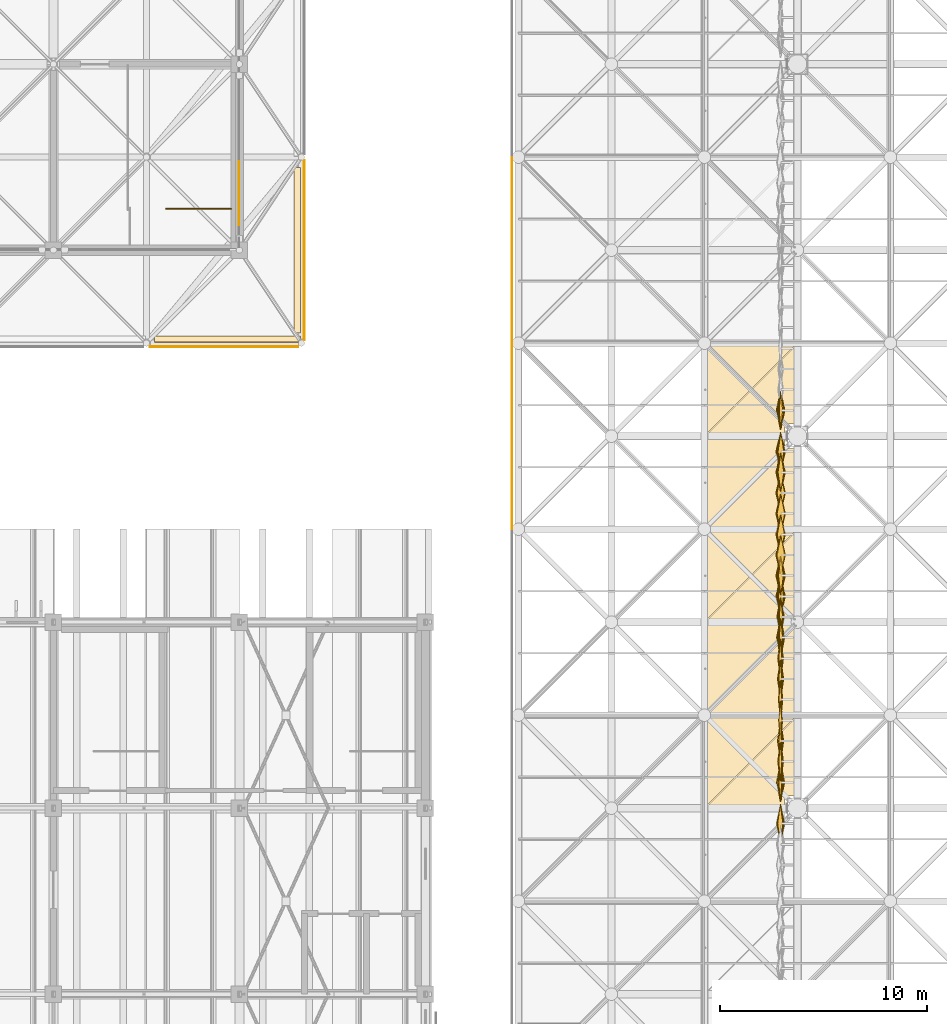
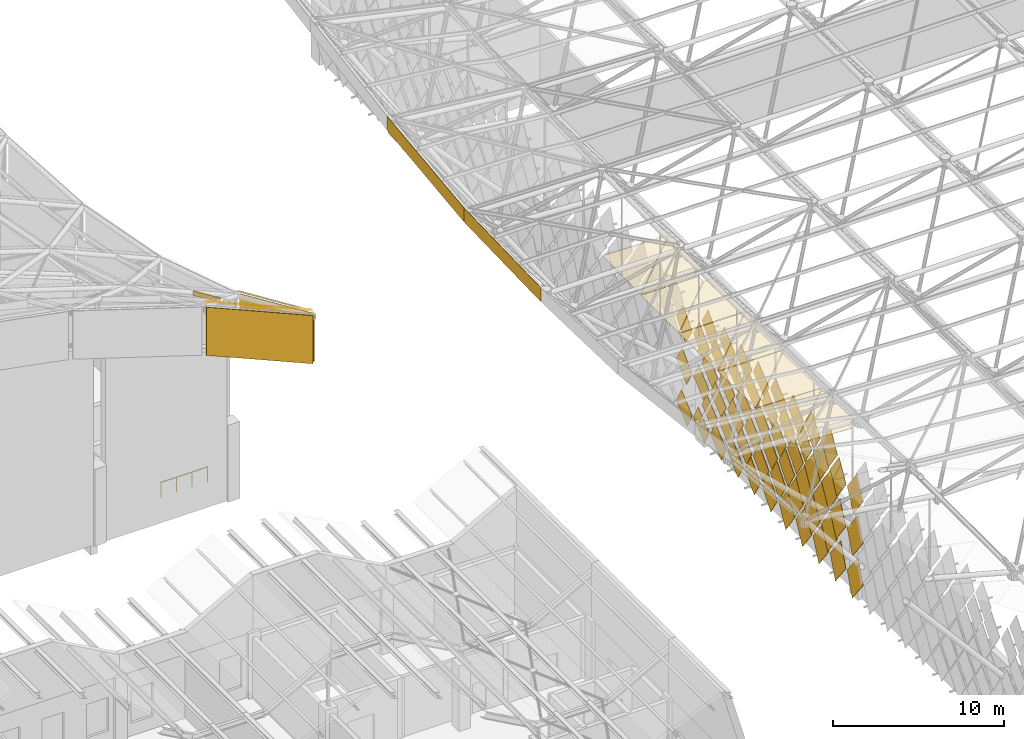
# One storey, part 411 of 437: 74 coverings, 1 railing.
"""IFC4 building model written with IfcOpenShell, lengths in metres."""

from ifc_helpers import new_model, si_unit, direction, frame, origin, origin_2d, place, context, subcontext, project, spatial, polyline, circle, outline, extrude, material, layer, layer_set, constituent, constituent_set, material_profile, profile_set, type_object, element, save


model = new_model("IFC4")

# Units and contexts
model_context = context("Model", 3, precision=1e-05, world=origin(), true_north=direction((0.0, 1.0)))
body_context = subcontext(model_context, "Body", "Model", "MODEL_VIEW")
ifc_project = project(units=[si_unit("LENGTHUNIT", "METRE"), si_unit("AREAUNIT", "SQUARE_METRE"), si_unit("VOLUMEUNIT", "CUBIC_METRE"), si_unit("PLANEANGLEUNIT", "RADIAN"), si_unit("MASSUNIT", "GRAM", prefix="KILO")], contexts=[model_context])

# Site, building, storey
site_placement = place(None, origin())
site = spatial("IfcSite", under=ifc_project, at=site_placement, CompositionType="ELEMENT")
building_placement = place(site_placement, origin())
building = spatial("IfcBuilding", under=site, at=building_placement, Name="Opaline Strait Convention Centre", CompositionType="ELEMENT")
storey_placement = place(building_placement, frame((0.0, 0.0, 11.5)))
storey = spatial("IfcBuildingStorey", under=building, at=storey_placement, Name="L02", CompositionType="ELEMENT", Elevation=11.5)

# Coverings
ifc_material_1 = material(Name="White ceramic-faced aluminium tile", Category="aluminium")
ifc_material_profile_1 = material_profile(ifc_material_1, outline(polyline([(0.927978515625, 0.0), (0.0, 1.39208984375), (-0.927978515625, 0.0), (0.0, -1.39208984375), (0.927978515625, 0.0)])), Name="Diamond tile 1856x2784")
ifc_profile_set_1 = profile_set([ifc_material_profile_1], Name="White ceramic-faced aluminium tile")
covering_type_1 = type_object("IfcCoveringType", Name="Diamond wall tile 1856x2784x30 pivot 3 deg", PredefinedType="CLADDING", material=ifc_profile_set_1)
for number, where, z_axis, x_axis, name in (
    (1, (98.199951171875, 99.25, 1.89208984375), (-0.998384516691, 0.0, -0.056818631031), (0.0, -1.0, 0.0), "Wall tile XT06 W"),
    (2, (98.199951171875, 97.25, 1.89208984375), (-0.998812351125, 0.0, 0.048722553713), (0.0, -1.0, 0.0), "Wall tile XT06 W"),
    (3, (98.199951171875, 98.25, 3.39208984375), (-0.998384516691, 0.0, -0.056818631031), (0.0, -1.0, 0.0), "Wall tile XT06 W"),
    (4, (98.199951171875, 96.25, 3.39208984375), (-0.998812351125, 0.0, 0.048722553713), (0.0, -1.0, 0.0), "Wall tile XT06 W"),
    (5, (98.199951171875, 97.25, 4.89208984375), (-0.998384516691, 0.0, -0.056818631031), (0.0, -1.0, 0.0), "Wall tile XT06 W"),
    (6, (98.199951171875, 95.25, 4.89208984375), (-0.998812351125, 0.0, 0.048722553713), (0.0, -1.0, 0.0), "Wall tile XT06 W"),
    (7, (98.199951171875, 96.25, 6.39208984375), (-0.998384516691, 0.0, -0.056818631031), (0.0, -1.0, 0.0), "Wall tile XT06 W"),
    (8, (98.199951171875, 94.25, 6.39208984375), (-0.998812351125, 0.0, 0.048722553713), (0.0, -1.0, 0.0), "Wall tile XT06 W"),
    (9, (98.199951171875, 92.25, 6.39208984375), (-0.998812351125, 0.0, 0.048722553713), (0.0, -1.0, 0.0), "Wall tile XT06 W"),
    (10, (98.199951171875, 109.25, 7.89208984375), (-0.998384516691, 0.0, -0.056818631031), (0.0, -1.0, 0.0), "Wall tile XT06 W"),
    (11, (98.199951171875, 95.25, 7.89208984375), (-0.998384516691, 0.0, -0.056818631031), (0.0, -1.0, 0.0), "Wall tile XT06 W"),
    (12, (98.199951171875, 93.25, 7.89208984375), (-0.998812351125, 0.0, 0.048722553713), (0.0, -1.0, 0.0), "Wall tile XT06 W"),
    (13, (98.199951171875, 91.25, 7.89208984375), (-0.998812351125, 0.0, 0.048722553713), (0.0, -1.0, 0.0), "Wall tile XT06 W"),
    (14, (98.199951171875, 94.25, 9.39208984375), (-0.998384516691, 0.0, -0.056818631031), (0.0, -1.0, 0.0), "Wall tile XT06 W"),
    (15, (98.199951171875, 92.25, 9.39208984375), (-0.998812351125, 0.0, 0.048722553713), (0.0, -1.0, 0.0), "Wall tile XT06 W"),
):
    element("IfcCovering", number, at=place(storey_placement, frame(where, z_axis=z_axis, x_axis=x_axis)), inside=storey, type_object=covering_type_1, Name=name, PredefinedType="CLADDING", context=body_context, shape_type="SweptSolid", body=[
        extrude(outline(polyline([(0.927978515625, 0.0), (0.0, 1.39208984375), (-0.927978515625, 0.0), (0.0, -1.39208984375), (0.927978515625, 0.0)])), origin(), (0.0, 0.0, 1.0), 0.030029296875),
    ])
ifc_material_profile_2 = material_profile(ifc_material_1, outline(polyline([(0.927978515625, 0.0), (0.0, 1.39208984375), (-0.927978515625, 0.0), (0.0, -1.39208984375), (0.927978515625, 0.0)])), Name="Diamond tile 1856x2784")
ifc_profile_set_2 = profile_set([ifc_material_profile_2], Name="White ceramic-faced aluminium tile")
covering_type_2 = type_object("IfcCoveringType", Name="Diamond wall tile 1856x2784x30 pivot 3.5 deg", PredefinedType="CLADDING", material=ifc_profile_set_2)
for number, where, z_axis, x_axis, name in (
    (16, (98.199951171875, 94.25, 3.39208984375), (-0.99835799028, 0.0, 0.057282835508), (0.0, -1.0, 0.0), "Wall tile XT07 W"),
    (17, (98.199951171875, 93.25, 4.89208984375), (-0.99835799028, 0.0, 0.057282835508), (0.0, -1.0, 0.0), "Wall tile XT07 W"),
):
    element("IfcCovering", number, at=place(storey_placement, frame(where, z_axis=z_axis, x_axis=x_axis)), inside=storey, type_object=covering_type_2, Name=name, PredefinedType="CLADDING", context=body_context, shape_type="SweptSolid", body=[
        extrude(outline(polyline([(0.927978515625, 0.0), (0.0, 1.39208984375), (-0.927978515625, 0.0), (0.0, -1.39208984375), (0.927978515625, 0.0)])), origin(), (0.0, 0.0, 1.0), 0.02978515625),
    ])
ifc_material_profile_3 = material_profile(ifc_material_1, outline(polyline([(0.927978515625, 0.0), (0.0, 1.39208984375), (-0.927978515625, 0.0), (0.0, -1.39208984375), (0.927978515625, 0.0)])), Name="Diamond tile 1856x2784")
ifc_profile_set_3 = profile_set([ifc_material_profile_3], Name="White ceramic-faced aluminium tile")
covering_type_3 = type_object("IfcCoveringType", Name="Diamond wall tile 1856x2784x30 pivot 4 deg", PredefinedType="CLADDING", material=ifc_profile_set_3)
covering_1_placement = place(storey_placement, frame((98.199951171875, 95.25, 1.89208984375), z_axis=(-0.99785694905, 0.0, 0.065433242561), x_axis=(0.0, -1.0, 0.0)))
element("IfcCovering", 18, at=covering_1_placement, inside=storey, type_object=covering_type_3, Name="Wall tile XT08 W", PredefinedType="CLADDING", context=body_context, shape_type="SweptSolid", body=[
    extrude(outline(polyline([(0.927978515625, 0.0), (0.0, 1.39208984375), (-0.927978515625, 0.0), (0.0, -1.39208984375), (0.927978515625, 0.0)])), origin(), (0.0, 0.0, 1.0), 0.02978515625),
])
ifc_material_profile_4 = material_profile(ifc_material_1, outline(polyline([(0.927978515625, 0.0), (0.0, 1.39208984375), (-0.927978515625, 0.0), (0.0, -1.39208984375), (0.927978515625, 0.0)])), Name="Diamond tile 1856x2784")
ifc_profile_set_4 = profile_set([ifc_material_profile_4], Name="White ceramic-faced aluminium tile")
covering_type_4 = type_object("IfcCoveringType", Name="Diamond wall tile 1856x2784x30 pivot 4.5 deg", PredefinedType="CLADDING", material=ifc_profile_set_4)
covering_2_placement = place(storey_placement, frame((98.199951171875, 101.25, 1.89208984375), z_axis=(-0.996657521232, 0.0, -0.081693239445), x_axis=(0.0, -1.0, 0.0)))
element("IfcCovering", 19, at=covering_2_placement, inside=storey, type_object=covering_type_4, Name="Wall tile XT09 W", PredefinedType="CLADDING", context=body_context, shape_type="SweptSolid", body=[
    extrude(outline(polyline([(0.927978515625, 0.0), (0.0, 1.39208984375), (-0.927978515625, 0.0), (0.0, -1.39208984375), (0.927978515625, 0.0)])), origin(), (0.0, 0.0, 1.0), 0.02978515625),
])
ifc_material_profile_5 = material_profile(ifc_material_1, outline(polyline([(0.927978515625, 0.0), (0.0, 1.39208984375), (-0.927978515625, 0.0), (0.0, -1.39208984375), (0.927978515625, 0.0)])), Name="Diamond tile 1856x2784")
ifc_profile_set_5 = profile_set([ifc_material_profile_5], Name="White ceramic-faced aluminium tile")
covering_type_5 = type_object("IfcCoveringType", Name="Diamond wall tile 1856x2784x30 pivot 5 deg", PredefinedType="CLADDING", material=ifc_profile_set_5)
for number, where, z_axis, x_axis, name in (
    (20, (98.199951171875, 100.25, 3.39208984375), (-0.995959849254, 0.0, -0.089799658539), (0.0, -1.0, 0.0), "Wall tile XT10 W"),
    (21, (98.199951171875, 99.25, 4.89208984375), (-0.995959849254, 0.0, -0.089799658539), (0.0, -1.0, 0.0), "Wall tile XT10 W"),
    (22, (98.199951171875, 98.25, 6.39208984375), (-0.995959849254, 0.0, -0.089799658539), (0.0, -1.0, 0.0), "Wall tile XT10 W"),
    (23, (98.199951171875, 97.25, 7.89208984375), (-0.995959849254, 0.0, -0.089799658539), (0.0, -1.0, 0.0), "Wall tile XT10 W"),
):
    element("IfcCovering", number, at=place(storey_placement, frame(where, z_axis=z_axis, x_axis=x_axis)), inside=storey, type_object=covering_type_5, Name=name, PredefinedType="CLADDING", context=body_context, shape_type="SweptSolid", body=[
        extrude(outline(polyline([(0.927978515625, 0.0), (0.0, 1.39208984375), (-0.927978515625, 0.0), (0.0, -1.39208984375), (0.927978515625, 0.0)])), origin(), (0.0, 0.0, 1.0), 0.02978515625),
    ])
ifc_material_profile_6 = material_profile(ifc_material_1, outline(polyline([(0.927978515625, 0.0), (0.0, 1.39208984375), (-0.927978515625, 0.0), (0.0, -1.39208984375), (0.927978515625, 0.0)])), Name="Diamond tile 1856x2784")
ifc_profile_set_6 = profile_set([ifc_material_profile_6], Name="White ceramic-faced aluminium tile")
covering_type_6 = type_object("IfcCoveringType", Name="Diamond wall tile 1856x2784x30 pivot 5.5 deg", PredefinedType="CLADDING", material=ifc_profile_set_6)
for number, where, z_axis, x_axis, name in (
    (24, (98.199951171875, 92.25, 3.39208984375), (-0.995959849254, 0.0, 0.089799658539), (0.0, -1.0, 0.0), "Wall tile XT11 W"),
    (25, (98.199951171875, 91.25, 4.89208984375), (-0.995959849254, 0.0, 0.089799658539), (0.0, -1.0, 0.0), "Wall tile XT11 W"),
):
    element("IfcCovering", number, at=place(storey_placement, frame(where, z_axis=z_axis, x_axis=x_axis)), inside=storey, type_object=covering_type_6, Name=name, PredefinedType="CLADDING", context=body_context, shape_type="SweptSolid", body=[
        extrude(outline(polyline([(0.927978515625, 0.0), (0.0, 1.39208984375), (-0.927978515625, 0.0), (0.0, -1.39208984375), (0.927978515625, 0.0)])), origin(), (0.0, 0.0, 1.0), 0.02978515625),
    ])
covering_3_placement = place(storey_placement, frame((98.199951171875, 107.25, 7.89208984375), z_axis=(-0.995197410875, 0.0, -0.097888269922), x_axis=(0.0, -1.0, 0.0)))
element("IfcCovering", 26, at=covering_3_placement, inside=storey, type_object=covering_type_6, Name="Wall tile XT11 W", PredefinedType="CLADDING", context=body_context, shape_type="SweptSolid", body=[
    extrude(outline(polyline([(0.927978515625, 0.0), (0.0, 1.39208984375), (-0.927978515625, 0.0), (0.0, -1.39208984375), (0.927978515625, 0.0)])), origin(), (0.0, 0.0, 1.0), 0.030029296875),
])
covering_4_placement = place(storey_placement, frame((98.199951171875, 89.25, 7.89208984375), z_axis=(-0.995959849254, 0.0, 0.089799658539), x_axis=(0.0, -1.0, 0.0)))
element("IfcCovering", 27, at=covering_4_placement, inside=storey, type_object=covering_type_6, Name="Wall tile XT11 W", PredefinedType="CLADDING", context=body_context, shape_type="SweptSolid", body=[
    extrude(outline(polyline([(0.927978515625, 0.0), (0.0, 1.39208984375), (-0.927978515625, 0.0), (0.0, -1.39208984375), (0.927978515625, 0.0)])), origin(), (0.0, 0.0, 1.0), 0.02978515625),
])
for number, where, z_axis, x_axis, name in (
    (28, (98.199951171875, 106.25, 9.39208984375), (-0.995197410875, 0.0, -0.097888269922), (0.0, -1.0, 0.0), "Wall tile XT11 W"),
    (29, (98.199951171875, 96.25, 9.39208984375), (-0.995197410875, 0.0, -0.097888269922), (0.0, -1.0, 0.0), "Wall tile XT11 W"),
):
    element("IfcCovering", number, at=place(storey_placement, frame(where, z_axis=z_axis, x_axis=x_axis)), inside=storey, type_object=covering_type_6, Name=name, PredefinedType="CLADDING", context=body_context, shape_type="SweptSolid", body=[
        extrude(outline(polyline([(0.927978515625, 0.0), (0.0, 1.39208984375), (-0.927978515625, 0.0), (0.0, -1.39208984375), (0.927978515625, 0.0)])), origin(), (0.0, 0.0, 1.0), 0.030029296875),
    ])
ifc_material_profile_7 = material_profile(ifc_material_1, outline(polyline([(0.927978515625, 0.0), (0.0, 1.39208984375), (-0.927978515625, 0.0), (0.0, -1.39208984375), (0.927978515625, 0.0)])), Name="Diamond tile 1856x2784")
ifc_profile_set_7 = profile_set([ifc_material_profile_7], Name="White ceramic-faced aluminium tile")
covering_type_7 = type_object("IfcCoveringType", Name="Diamond wall tile 1856x2784x30 pivot 6 deg", PredefinedType="CLADDING", material=ifc_profile_set_7)
for number, where, z_axis, x_axis, name in (
    (30, (98.199951171875, 93.25, 1.89208984375), (-0.995197410875, 0.0, 0.097888269922), (0.0, -1.0, 0.0), "Wall tile XT12 W"),
    (31, (98.199951171875, 109.25, 4.89208984375), (-0.994370656274, 0.0, -0.105957528947), (0.0, -1.0, 0.0), "Wall tile XT12 W"),
):
    element("IfcCovering", number, at=place(storey_placement, frame(where, z_axis=z_axis, x_axis=x_axis)), inside=storey, type_object=covering_type_7, Name=name, PredefinedType="CLADDING", context=body_context, shape_type="SweptSolid", body=[
        extrude(outline(polyline([(0.927978515625, 0.0), (0.0, 1.39208984375), (-0.927978515625, 0.0), (0.0, -1.39208984375), (0.927978515625, 0.0)])), origin(), (0.0, 0.0, 1.0), 0.030029296875),
    ])
ifc_material_profile_8 = material_profile(ifc_material_1, outline(polyline([(0.927978515625, 0.0), (0.0, 1.39208984375), (-0.927978515625, 0.0), (0.0, -1.39208984375), (0.927978515625, 0.0)])), Name="Diamond tile 1856x2784")
ifc_profile_set_8 = profile_set([ifc_material_profile_8], Name="White ceramic-faced aluminium tile")
covering_type_8 = type_object("IfcCoveringType", Name="Diamond wall tile 1856x2784x30 pivot 7 deg", PredefinedType="CLADDING", material=ifc_profile_set_8)
for number, where, z_axis, x_axis, name in (
    (32, (98.199951171875, 103.25, 1.89208984375), (-0.992526177815, 0.0, -0.122031907108), (0.0, -1.0, 0.0), "Wall tile XT14 W"),
    (33, (98.199951171875, 102.25, 3.39208984375), (-0.992526177815, 0.0, -0.122031907108), (0.0, -1.0, 0.0), "Wall tile XT14 W"),
    (34, (98.199951171875, 101.25, 4.89208984375), (-0.992526177815, 0.0, -0.122031907108), (0.0, -1.0, 0.0), "Wall tile XT14 W"),
    (35, (98.199951171875, 89.25, 4.89208984375), (-0.992526177815, 0.0, 0.122031907108), (0.0, -1.0, 0.0), "Wall tile XT14 W"),
    (36, (98.199951171875, 100.25, 6.39208984375), (-0.992526177815, 0.0, -0.122031907108), (0.0, -1.0, 0.0), "Wall tile XT14 W"),
    (37, (98.199951171875, 99.25, 7.89208984375), (-0.992526177815, 0.0, -0.122031907108), (0.0, -1.0, 0.0), "Wall tile XT14 W"),
):
    element("IfcCovering", number, at=place(storey_placement, frame(where, z_axis=z_axis, x_axis=x_axis)), inside=storey, type_object=covering_type_8, Name=name, PredefinedType="CLADDING", context=body_context, shape_type="SweptSolid", body=[
        extrude(outline(polyline([(0.927978515625, 0.0), (0.0, 1.39208984375), (-0.927978515625, 0.0), (0.0, -1.39208984375), (0.927978515625, 0.0)])), origin(), (0.0, 0.0, 1.0), 0.030029296875),
    ])
ifc_material_profile_9 = material_profile(ifc_material_1, outline(polyline([(0.927978515625, 0.0), (0.0, 1.39208984375), (-0.927978515625, 0.0), (0.0, -1.39208984375), (0.927978515625, 0.0)])), Name="Diamond tile 1856x2784")
ifc_profile_set_9 = profile_set([ifc_material_profile_9], Name="White ceramic-faced aluminium tile")
covering_type_9 = type_object("IfcCoveringType", Name="Diamond wall tile 1856x2784x30 pivot 7.5 deg", PredefinedType="CLADDING", material=ifc_profile_set_9)
for number, where, z_axis, x_axis, name in (
    (38, (98.199951171875, 91.25, 1.89208984375), (-0.991509530601, 0.0, 0.1300340368), (0.0, -1.0, 0.0), "Wall tile XT15 W"),
    (39, (98.199951171875, 107.25, 4.89208984375), (-0.991509530601, 0.0, -0.1300340368), (0.0, -1.0, 0.0), "Wall tile XT15 W"),
    (40, (98.199951171875, 106.25, 6.39208984375), (-0.991509530601, 0.0, -0.1300340368), (0.0, -1.0, 0.0), "Wall tile XT15 W"),
    (41, (98.199951171875, 105.25, 7.89208984375), (-0.991509530601, 0.0, -0.1300340368), (0.0, -1.0, 0.0), "Wall tile XT15 W"),
    (42, (98.199951171875, 104.25, 9.39208984375), (-0.991509530601, 0.0, -0.1300340368), (0.0, -1.0, 0.0), "Wall tile XT15 W"),
    (43, (98.199951171875, 98.25, 9.39208984375), (-0.991509530601, 0.0, -0.1300340368), (0.0, -1.0, 0.0), "Wall tile XT15 W"),
):
    element("IfcCovering", number, at=place(storey_placement, frame(where, z_axis=z_axis, x_axis=x_axis)), inside=storey, type_object=covering_type_9, Name=name, PredefinedType="CLADDING", context=body_context, shape_type="SweptSolid", body=[
        extrude(outline(polyline([(0.927978515625, 0.0), (0.0, 1.39208984375), (-0.927978515625, 0.0), (0.0, -1.39208984375), (0.927978515625, 0.0)])), origin(), (0.0, 0.0, 1.0), 0.030029296875),
    ])
ifc_material_profile_10 = material_profile(ifc_material_1, outline(polyline([(0.927978515625, 0.0), (0.0, 1.39208984375), (-0.927978515625, 0.0), (0.0, -1.39208984375), (0.927978515625, 0.0)])), Name="Diamond tile 1856x2784")
ifc_profile_set_10 = profile_set([ifc_material_profile_10], Name="White ceramic-faced aluminium tile")
covering_type_10 = type_object("IfcCoveringType", Name="Diamond wall tile 1856x2784x30 pivot 8 deg", PredefinedType="CLADDING", material=ifc_profile_set_10)
for number, where, z_axis, x_axis, name in (
    (44, (98.199951171875, 109.25, 1.89208984375), (-0.990274204789, 0.0, -0.139129433731), (0.0, -1.0, 0.0), "Wall tile XT16 W"),
    (45, (98.199951171875, 105.25, 1.89208984375), (-0.990274204789, 0.0, -0.139129433731), (0.0, -1.0, 0.0), "Wall tile XT16 W"),
    (46, (98.199951171875, 89.25, 1.89208984375), (-0.990274204789, 0.0, 0.139129433731), (0.0, -1.0, 0.0), "Wall tile XT16 W"),
    (47, (98.199951171875, 104.25, 3.39208984375), (-0.990274204789, 0.0, -0.139129433731), (0.0, -1.0, 0.0), "Wall tile XT16 W"),
    (48, (98.199951171875, 103.25, 4.89208984375), (-0.990274204789, 0.0, -0.139129433731), (0.0, -1.0, 0.0), "Wall tile XT16 W"),
):
    element("IfcCovering", number, at=place(storey_placement, frame(where, z_axis=z_axis, x_axis=x_axis)), inside=storey, type_object=covering_type_10, Name=name, PredefinedType="CLADDING", context=body_context, shape_type="SweptSolid", body=[
        extrude(outline(polyline([(0.927978515625, 0.0), (0.0, 1.39208984375), (-0.927978515625, 0.0), (0.0, -1.39208984375), (0.927978515625, 0.0)])), origin(), (0.0, 0.0, 1.0), 0.02978515625),
    ])
ifc_material_profile_11 = material_profile(ifc_material_1, outline(polyline([(0.927978515625, 0.0), (0.0, 1.39208984375), (-0.927978515625, 0.0), (0.0, -1.39208984375), (0.927978515625, 0.0)])), Name="Diamond tile 1856x2784")
ifc_profile_set_11 = profile_set([ifc_material_profile_11], Name="White ceramic-faced aluminium tile")
covering_type_11 = type_object("IfcCoveringType", Name="Diamond wall tile 1856x2784x30 pivot 8.5 deg", PredefinedType="CLADDING", material=ifc_profile_set_11)
for number, where, z_axis, x_axis, name in (
    (49, (98.199951171875, 107.25, 1.89208984375), (-0.987895005451, 0.0, -0.15512400912), (0.0, -1.0, 0.0), "Wall tile XT17 W"),
    (50, (98.199951171875, 106.25, 3.39208984375), (-0.987895005451, 0.0, -0.15512400912), (0.0, -1.0, 0.0), "Wall tile XT17 W"),
    (51, (98.199951171875, 105.25, 4.89208984375), (-0.987895005451, 0.0, -0.15512400912), (0.0, -1.0, 0.0), "Wall tile XT17 W"),
    (52, (98.199951171875, 104.25, 6.39208984375), (-0.987895005451, 0.0, -0.15512400912), (0.0, -1.0, 0.0), "Wall tile XT17 W"),
    (53, (98.199951171875, 102.25, 6.39208984375), (-0.987895005451, 0.0, -0.15512400912), (0.0, -1.0, 0.0), "Wall tile XT17 W"),
    (54, (98.199951171875, 103.25, 7.89208984375), (-0.987895005451, 0.0, -0.15512400912), (0.0, -1.0, 0.0), "Wall tile XT17 W"),
    (55, (98.199951171875, 101.25, 7.89208984375), (-0.987895005451, 0.0, -0.15512400912), (0.0, -1.0, 0.0), "Wall tile XT17 W"),
    (56, (98.199951171875, 102.25, 9.39208984375), (-0.987895005451, 0.0, -0.15512400912), (0.0, -1.0, 0.0), "Wall tile XT17 W"),
    (57, (98.199951171875, 100.25, 9.39208984375), (-0.987895005451, 0.0, -0.15512400912), (0.0, -1.0, 0.0), "Wall tile XT17 W"),
):
    element("IfcCovering", number, at=place(storey_placement, frame(where, z_axis=z_axis, x_axis=x_axis)), inside=storey, type_object=covering_type_11, Name=name, PredefinedType="CLADDING", context=body_context, shape_type="SweptSolid", body=[
        extrude(outline(polyline([(0.927978515625, 0.0), (0.0, 1.39208984375), (-0.927978515625, 0.0), (0.0, -1.39208984375), (0.927978515625, 0.0)])), origin(), (0.0, 0.0, 1.0), 0.02978515625),
    ])
ifc_material_2 = material(Name="White aluminium fascia plate", Category="aluminium")
ifc_layer_1 = layer(ifc_material_2, 0.02001953125)
ifc_layer_set_1 = layer_set([ifc_layer_1], Name="White aluminium fascia plate")
covering_type_12 = type_object("IfcCoveringType", Name="Edge fascia plate 20 aluminium", PredefinedType="CLADDING", material=ifc_layer_set_1)
covering_5_placement = place(storey_placement, frame((85.199951171875, 117.0, 18.79638671875), z_axis=(-1.0, 0.0, 0.0), x_axis=(0.0, -1.0, 0.0)))
element("IfcCovering", 58, at=covering_5_placement, inside=storey, type_object=covering_type_12, Name="Edge fascia plate W", PredefinedType="CLADDING", context=body_context, shape_type="SweptSolid", body=[
    extrude(outline(polyline([(-4.5, 1.043701171875), (4.5, -0.043701171875), (4.5, -1.043701171875), (-4.5, 0.043701171875), (-4.5, 1.043701171875)])), origin(), (0.0, 0.0, 1.0), 0.02001953125),
])
covering_6_placement = place(storey_placement, frame((85.199951171875, 108.0, 18.12646484375), z_axis=(-1.0, 0.0, 0.0), x_axis=(0.0, -1.0, 0.0)))
element("IfcCovering", 59, at=covering_6_placement, inside=storey, type_object=covering_type_12, Name="Edge fascia plate W", PredefinedType="CLADDING", context=body_context, shape_type="SweptSolid", body=[
    extrude(outline(polyline([(-4.5, 0.62646484375), (4.5, 0.373779296875), (4.5, -0.626220703125), (-4.5, -0.37353515625), (-4.5, 0.62646484375)])), origin(), (0.0, 0.0, 1.0), 0.02001953125),
])

# Railing
ifc_material_3 = material(Name="Steel Q355B", Category="steel")
ifc_constituent_1 = constituent(ifc_material_3, Name="Frame")
ifc_material_4 = material(Name="Safety glass, bonded interlayer", Category="glass")
ifc_constituent_2 = constituent(ifc_material_4, Name="Infill")
ifc_constituent_set = constituent_set(constituents=[ifc_constituent_1, ifc_constituent_2], Name="Steel Q355B, Safety glass, bonded interlayer")
railing_type = type_object("IfcRailingType", Name="Seating guard 1100 steel and glass", PredefinedType="GUARDRAIL", material=ifc_constituent_set)
railing_placement = place(storey_placement, frame((71.60009765625, 119.0, 0.0)))
element("IfcRailing", 60, at=railing_placement, inside=storey, type_object=railing_type, Name="L02 PSR2 top well guard 1", PredefinedType="GUARDRAIL", context=body_context, shape_type="SweptSolid", body=[
    extrude(circle(Radius=0.02392578125, at=origin_2d()), frame((0.0, 0.0, 1.076171875), z_axis=(-1.0, 0.0, 0.0), x_axis=(0.0, -1.0, 0.0)), (0.0, 0.0, 1.0), 3.150146484375),
    extrude(circle(Radius=0.02099609375, at=origin_2d()), origin(), (0.0, 0.0, 1.0), 1.052001953125),
    extrude(circle(Radius=0.02099609375, at=origin_2d()), frame((-1.050048828125, 0.0, 0.0)), (0.0, 0.0, 1.0), 1.052001953125),
    extrude(circle(Radius=0.02099609375, at=origin_2d()), frame((-2.10009765625, 0.0, 0.0)), (0.0, 0.0, 1.0), 1.052001953125),
    extrude(circle(Radius=0.02099609375, at=origin_2d()), frame((-3.150146484375, 0.0, 0.0)), (0.0, 0.0, 1.0), 1.052001953125),
])

# Coverings
ifc_material_5 = material(Name="Standing seam aluminium edge flashing, white", Category="aluminium")
ifc_layer_2 = layer(ifc_material_5, 0.030029296875)
ifc_layer_set_2 = layer_set([ifc_layer_2], Name="Standing seam aluminium edge flashing, white")
covering_type_13 = type_object("IfcCoveringType", Name="Shell edge flashing 30", PredefinedType="ROOFING", material=ifc_layer_set_2)
covering_7_placement = place(storey_placement, frame((74.64990234375, 113.0, 14.9462890625), z_axis=(0.368130721937, 0.377615800828, 0.849638792977), x_axis=(0.917593196466, -0.000119786552, -0.397520705688)))
element("IfcCovering", 61, at=covering_7_placement, inside=storey, type_object=covering_type_13, Name="PEF1 edge flashing 2", PredefinedType="ROOFING", context=body_context, shape_type="SweptSolid", body=[
    extrude(outline(polyline([(0.0, 0.0), (0.32695387057680647, -6.938893903907228e-18), (1.7394456654739954, 8.639885059648952), (1.4123947439436515, 8.639800454720527), (0.0, 0.0)])), origin(), (0.0, 0.0, -1.0), 0.030029296875),
])
covering_8_placement = place(storey_placement, frame((67.89990234375, 112.550048828125, 18.074951171875), z_axis=(0.36852844959, 0.377713318773, 0.849422998667), x_axis=(0.917380967841, -5.096316e-06, -0.398010250895)))
element("IfcCovering", 62, at=covering_8_placement, inside=storey, type_object=covering_type_13, Name="PEF1 edge flashing 31", PredefinedType="ROOFING", context=body_context, shape_type="SweptSolid", body=[
    extrude(outline(polyline([(0.0, 0.0), (7.684932283093605, 0.0), (7.738083001811216, 0.3240964914436899), (0.05305354824620044, 0.3240118945471862), (0.0, 0.0)])), origin(), (0.0, 0.0, -1.0), 0.030029296875),
])
ifc_material_6 = material(Name="Aluminium composite cladding panel, white", Category="aluminium")
ifc_layer_3 = layer(ifc_material_6, 0.0400390625)
ifc_layer_set_3 = layer_set([ifc_layer_3], Name="Aluminium composite cladding panel, white")
covering_type_14 = type_object("IfcCoveringType", Name="Shell edge frieze panel 40", PredefinedType="CLADDING", material=ifc_layer_set_3)
covering_9_placement = place(storey_placement, frame((72.0, 118.199951171875, 13.17626953125), z_axis=(1.0, 0.0, 0.0), x_axis=(0.0, 0.913826386395, -0.406105079416)))
element("IfcCovering", 63, at=covering_9_placement, inside=storey, type_object=covering_type_14, Name="PFR1 frieze strip E 2", PredefinedType="CLADDING", context=body_context, shape_type="SweptSolid", body=[
    extrude(outline(polyline([(0.0, 0.0), (3.3924361371078176, 0.0), (3.2564067989830114, 0.3060961430992002), (-0.13602933812480603, 0.3060961430992003), (0.0, 0.0)])), origin(), (0.0, 0.0, -1.0), 0.0400390625),
])
covering_10_placement = place(storey_placement, frame((75.1494140625, 112.64990234375, 11.2099609375), z_axis=(1.0, 0.0, 0.0), x_axis=(0.0, 0.913813663494, -0.406133707555)))
element("IfcCovering", 64, at=covering_10_placement, inside=storey, type_object=covering_type_14, Name="PFR1 fascia panel E 1", PredefinedType="CLADDING", context=body_context, shape_type="SweptSolid", body=[
    extrude(outline(polyline([(0.0, 0.0), (9.5207542413366, 4.440892098500626e-16), (8.116539015167673, 3.159528589452954), (-1.404215226168927, 3.1595285894529535), (0.0, 0.0)])), origin(), (0.0, 0.0, -1.0), 0.0400390625),
])
covering_11_placement = place(storey_placement, frame((67.64990234375, 112.3505859375, 17.9228515625), z_axis=(0.0, 1.0, 0.0), x_axis=(0.917383800951, 0.0, -0.398003720777)))
element("IfcCovering", 65, at=covering_11_placement, inside=storey, type_object=covering_type_14, Name="PFR1 fascia panel S 8", PredefinedType="CLADDING", context=body_context, shape_type="SweptSolid", body=[
    extrude(outline(polyline([(0.0, 0.0), (7.848618326414646, 0.0), (9.217824974235654, 3.155970492968906), (1.3692066478210076, 3.155970492968906), (0.0, 0.0)])), origin(), (0.0, 0.0, -1.0), 0.0400390625),
])
ifc_material_7 = material(Name="White aluminium soffit panel", Category="aluminium")
ifc_layer_4 = layer(ifc_material_7, 0.011962890625)
ifc_layer_set_4 = layer_set([ifc_layer_4], Name="White aluminium soffit panel")
covering_type_15 = type_object("IfcCoveringType", Name="Soffit lining panel 12 aluminium", PredefinedType="CEILING", material=ifc_layer_set_4)
covering_12_placement = place(storey_placement, frame((98.97998046875, 90.60009765625, 11.990966796875), z_axis=(0.05100733674, -1.9333429e-05, 0.998698278373), x_axis=(-0.998698278559, -2.852e-09, 0.05100733675)))
element("IfcCovering", 66, at=covering_12_placement, inside=storey, type_object=covering_type_15, Name="Soffit lining panel", PredefinedType="CEILING", context=body_context, shape_type="SweptSolid", body=[
    extrude(outline(polyline([(0.0, 0.0), (0.5808298333994333, 1.0587911840678754e-22), (0.5808298350537547, 0.5800781248915887), (4.437415761805435, 0.5800781126701933), (-1.098424891700477e-08, -3.8515624992801785), (0.0, 0.0)])), origin(), (0.0, 0.0, -1.0), 0.011962890625),
])
covering_13_placement = place(storey_placement, frame((94.52001953125, 90.04833984375, 12.218017578125), z_axis=(0.026040754402, 0.02499471987, 0.999348359227), x_axis=(0.0, 0.999687371154, -0.025003198904)))
element("IfcCovering", 67, at=covering_13_placement, inside=storey, type_object=covering_type_15, Name="Soffit lining panel", PredefinedType="CEILING", context=body_context, shape_type="SweptSolid", body=[
    extrude(outline(polyline([(0.0, 0.0), (4.433026516964783, -4.336808689942018e-19), (4.435913849260084, -4.4331439836794795), (0.0, 0.0)])), origin(), (0.0, 0.0, -1.0), 0.011962890625),
])
covering_14_placement = place(storey_placement, frame((94.54833984375, 94.52001953125, 12.105712890625), z_axis=(0.02599385811, 0.0, 0.999662102583), x_axis=(0.706987286129, 0.706987286129, -0.018383538952)))
element("IfcCovering", 68, at=covering_14_placement, inside=storey, type_object=covering_type_15, Name="Soffit lining panel", PredefinedType="CEILING", context=body_context, shape_type="SweptSolid", body=[
    extrude(outline(polyline([(0.0, 0.0), (6.2683455727554165, -1.2923689896027213e-16), (3.135231994188407, -3.1341726073956777), (0.0, 0.0)])), origin(), (0.0, 0.0, -1.0), 0.011962890625),
])
covering_15_placement = place(storey_placement, frame((94.52001953125, 94.54833984375, 12.10595703125), z_axis=(0.000991314402, 0.025058225174, 0.999685501869), x_axis=(0.0, 0.999685993067, -0.025058237486)))
element("IfcCovering", 69, at=covering_15_placement, inside=storey, type_object=covering_type_15, Name="Soffit lining panel", PredefinedType="CEILING", context=body_context, shape_type="SweptSolid", body=[
    extrude(outline(polyline([(0.0, 0.0), (4.433032627979972, 0.0), (4.433142747187674, -4.431642802497631), (0.0, 0.0)])), origin(), (0.0, 0.0, -1.0), 0.011962890625),
])
covering_16_placement = place(storey_placement, frame((94.54833984375, 99.02001953125, 11.994384765625), z_axis=(0.00099162578, 0.0, 0.999999508339), x_axis=(0.707106607358, 0.707106607358, -0.000701185485)))
element("IfcCovering", 70, at=covering_16_placement, inside=storey, type_object=covering_type_15, Name="Soffit lining panel", PredefinedType="CEILING", context=body_context, shape_type="SweptSolid", body=[
    extrude(outline(polyline([(0.0, 0.0), (6.2672878161295325, -5.14484424030473e-16), (3.1336454487555305, -3.133643908064388), (0.0, 0.0)])), origin(), (0.0, 0.0, -1.0), 0.011962890625),
])
covering_17_placement = place(storey_placement, frame((94.52001953125, 99.04833984375, 11.994384765625), z_axis=(0.00099162578, 0.0, 0.999999508339), x_axis=(0.0, 1.0, 0.0)))
element("IfcCovering", 71, at=covering_17_placement, inside=storey, type_object=covering_type_15, Name="Soffit lining panel", PredefinedType="CEILING", context=body_context, shape_type="SweptSolid", body=[
    extrude(outline(polyline([(0.0, 0.0), (4.431640625, 0.0), (4.431640625, -4.431642803865774), (0.0, 0.0)])), origin(), (0.0, 0.0, -1.0), 0.011962890625),
])
covering_18_placement = place(storey_placement, frame((98.97998046875, 103.52001953125, 11.989990234375), z_axis=(0.000979815324, 1.3490032e-05, 0.99999951989), x_axis=(-0.999999519981, -1.59e-10, 0.000979815324)))
element("IfcCovering", 72, at=covering_18_placement, inside=storey, type_object=covering_type_15, Name="Soffit lining panel", PredefinedType="CEILING", context=body_context, shape_type="SweptSolid", body=[
    extrude(outline(polyline([(0.0, 0.0), (4.431642803556696, 0.0), (0.5517580254529787, -3.8798828129409406), (-6.181565081156673e-10, -3.8798828121469677), (0.0, 0.0)])), origin(), (0.0, 0.0, -1.0), 0.011962890625),
])
covering_19_placement = place(storey_placement, frame((98.39990234375, 107.42822265625, 11.990478515625), z_axis=(0.001006795362, 0.0, 0.999999493181), x_axis=(-0.707106601999, -0.707106601999, 0.000711912008)))
element("IfcCovering", 73, at=covering_19_placement, inside=storey, type_object=covering_type_15, Name="Soffit lining panel", PredefinedType="CEILING", context=body_context, shape_type="SweptSolid", body=[
    extrude(outline(polyline([(0.0, 0.0), (5.486984284309085, 1.1353248460170377e-16), (2.353341940684378, -3.1336439318136717), (-0.39015159192330534, -0.39015178965948094), (0.0, 0.0)])), origin(), (0.0, 0.0, -1.0), 0.011962890625),
])
covering_20_placement = place(storey_placement, frame((98.97998046875, 108.60009765625, 11.989990234375), z_axis=(0.000996943757, -2.031398e-05, 0.999999502845), x_axis=(-0.999999503051, -3.153e-09, 0.000996943757)))
element("IfcCovering", 74, at=covering_20_placement, inside=storey, type_object=covering_type_15, Name="Soffit lining panel", PredefinedType="CEILING", context=body_context, shape_type="SweptSolid", body=[
    extrude(outline(polyline([(0.0, 0.0), (0.5800783235199601, -1.6543612251060553e-24), (0.5800783253487105, 0.5800781248803132), (4.431642805631858, 0.5800781113878938), (-1.2142409663253314e-08, -3.8515624992053117), (0.0, 0.0)])), origin(), (0.0, 0.0, -1.0), 0.011962890625),
])
covering_21_placement = place(storey_placement, frame((94.52001953125, 108.04833984375, 11.9951171875), z_axis=(0.026040718529, -0.025049739811, 0.999346982541), x_axis=(0.0, 0.999685993067, 0.025058237486)))
element("IfcCovering", 75, at=covering_21_placement, inside=storey, type_object=covering_type_15, Name="Soffit lining panel", PredefinedType="CEILING", context=body_context, shape_type="SweptSolid", body=[
    extrude(outline(polyline([(0.0, 0.0), (4.433032627979972, 0.0), (4.430138939910913, -4.43314397953537), (0.0, 0.0)])), origin(), (0.0, 0.0, -1.0), 0.011962890625),
])

save(model, "model.ifc")
